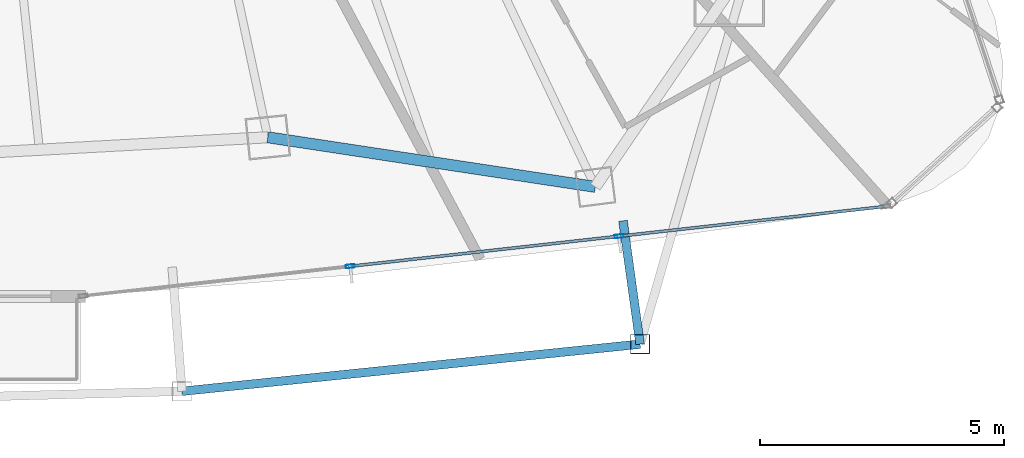
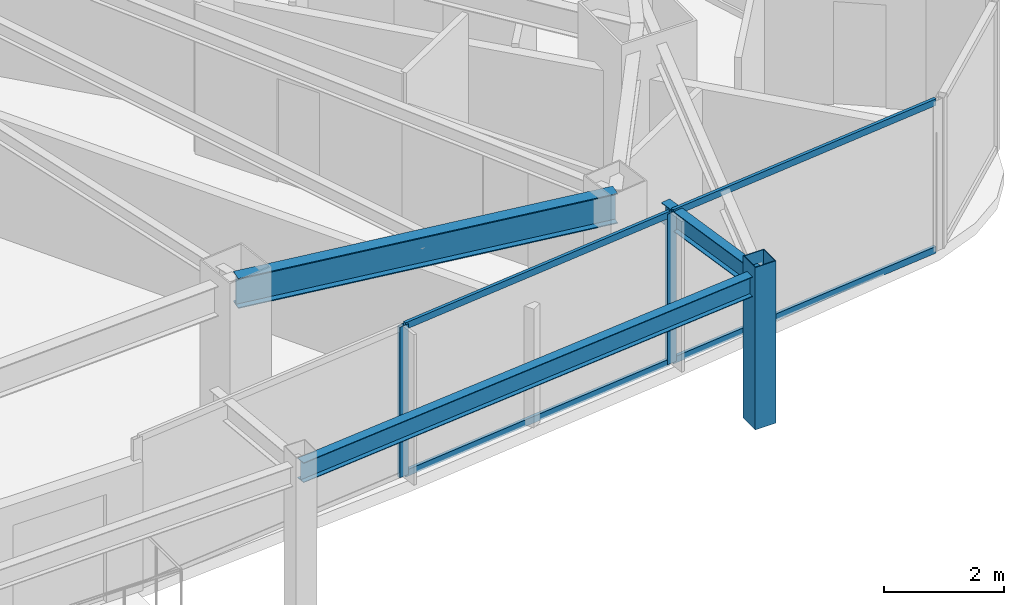
# One storey, part 14 of 30: 7 members, 3 beams, 1 element without a shape of its own.
"""IFC4 building model written with IfcOpenShell, lengths in metres."""

import ifcopenshell
import ifcopenshell.guid

model = None  # the IFC model being written
_history = None  # IfcOwnerHistory: only IFC2X3 demands one
_inside = {}  # id of a spatial element -> (the spatial element, [elements in it])
_under = {}  # id of a project, library or spatial element -> (it, [spatial elements below it])
_declared = {}  # id of a project -> (the project, [libraries it declares])
_typed = {}  # id of a type object -> (the type object, [elements of that type])
_made_of = {}  # id of a material, layer set ... -> (it, [elements and type objects made of it])


def new_model(schema):
    """Start an empty IFC model of exactly this schema.

    Asked for "IFC4X3", IfcOpenShell would pick the latest addendum, in which some entities
    have other attributes; the version numbers below select the first issue.
    IFC2X3 requires an IfcOwnerHistory on every rooted entity: one is made here for all.
    """
    global model, _history
    if schema == "IFC4X3":
        model = ifcopenshell.file(schema_version=(4, 3, 0, 0))
    else:
        model = ifcopenshell.file(schema=schema)
    _inside.clear()
    _under.clear()
    _declared.clear()
    _typed.clear()
    _made_of.clear()
    _history = None
    if model.schema == "IFC2X3":
        org = make("IfcOrganization", Name="unknown")
        user = make(
            "IfcPersonAndOrganization",
            ThePerson=make("IfcPerson", FamilyName="unknown"),
            TheOrganization=org,
        )
        app = make(
            "IfcApplication",
            ApplicationDeveloper=org,
            Version="unknown",
            ApplicationFullName="unknown",
            ApplicationIdentifier="unknown",
        )
        _history = make(
            "IfcOwnerHistory",
            OwningUser=user,
            OwningApplication=app,
            ChangeAction="ADDED",
            CreationDate=0,
        )
    return model


def make(cls, **values):
    """One entity of the class cls with the attributes given. An attribute that is None is left unset."""
    return model.create_entity(
        cls, **{name: value for name, value in values.items() if value is not None}
    )


def rooted(cls, **values):
    """An entity with a GlobalId (a new one), such as an element, a storey or a relation."""
    return make(cls, GlobalId=ifcopenshell.guid.new(), OwnerHistory=_history, **values)


def si_unit(unit_type, name, prefix=None):
    """IfcSIUnit, for example si_unit("LENGTHUNIT", "METRE", prefix="MILLI")."""
    return make("IfcSIUnit", UnitType=unit_type, Prefix=prefix, Name=name)


def assignment(units):
    """IfcUnitAssignment: the units of a project."""
    return None if units is None else make("IfcUnitAssignment", Units=units)


def point(xyz):
    """IfcCartesianPoint."""
    return None if xyz is None else make("IfcCartesianPoint", Coordinates=xyz)


def direction(xyz):
    """IfcDirection."""
    return None if xyz is None else make("IfcDirection", DirectionRatios=xyz)


def frame(location, z_axis=None, x_axis=None):
    """IfcAxis2Placement3D, a coordinate frame: its origin and axes. An axis left out is left unset."""
    return make(
        "IfcAxis2Placement3D",
        Location=point(location),
        Axis=direction(z_axis),
        RefDirection=direction(x_axis),
    )


def frame_2d(location, x_axis=None):
    """IfcAxis2Placement2D, a coordinate frame in the plane: its origin and x axis."""
    return make(
        "IfcAxis2Placement2D", Location=point(location), RefDirection=direction(x_axis)
    )


def origin():
    """The frame at (0, 0, 0) with its axes left unset."""
    return frame((0.0, 0.0, 0.0))


def origin_2d():
    """The frame at (0, 0) in the plane with its x axis left unset."""
    return frame_2d((0.0, 0.0))


def place(relative_to, where):
    """IfcLocalPlacement: puts the frame where relative to a parent placement (None: the world)."""
    return make(
        "IfcLocalPlacement", PlacementRelTo=relative_to, RelativePlacement=where
    )


def context(
    kind, dimensions, precision=None, world=None, true_north=None, identifier=None
):
    """IfcGeometricRepresentationContext, for example the 3D "Model" context."""
    return make(
        "IfcGeometricRepresentationContext",
        ContextIdentifier=identifier,
        ContextType=kind,
        CoordinateSpaceDimension=dimensions,
        Precision=precision,
        WorldCoordinateSystem=world,
        TrueNorth=true_north,
    )


def subcontext(parent, identifier, kind, view, scale=None):
    """IfcGeometricRepresentationSubContext, for example "Body" below "Model"."""
    return make(
        "IfcGeometricRepresentationSubContext",
        ContextIdentifier=identifier,
        ContextType=kind,
        ParentContext=parent,
        TargetScale=scale,
        TargetView=view,
    )


def project(units=None, contexts=None):
    """IfcProject with its units and contexts."""
    return rooted(
        "IfcProject",
        Name="project",
        RepresentationContexts=contexts,
        UnitsInContext=assignment(units),
    )


def spatial(cls, under=None, at=None, **own):
    """A site, building, storey or space (cls), placed at a placement, below another one or the project."""
    s = rooted(cls, ObjectPlacement=at, **own)
    if under is not None:
        _under.setdefault(under.id(), (under, []))[1].append(s)
    return s


def profile(cls, at=None, kind="AREA", **sizes):
    """A parametric profile (cls). Its sizes go by their IFC names, for example OverallWidth=200.0."""
    return make(cls, ProfileType=kind, Position=at, **sizes)


def hollow_rectangle(**sizes):
    """IfcRectangleHollowProfileDef."""
    return profile("IfcRectangleHollowProfileDef", **sizes)


def i_section(**sizes):
    """IfcIShapeProfileDef."""
    return profile("IfcIShapeProfileDef", **sizes)


def extrude(swept, where, along, depth):
    """IfcExtrudedAreaSolid: the profile swept, set in the frame where, extruded along a direction by depth."""
    return make(
        "IfcExtrudedAreaSolid",
        SweptArea=swept,
        Position=where,
        ExtrudedDirection=direction(along),
        Depth=depth,
    )


def shape(context_of_items, identifier, shape_type, items):
    """IfcShapeRepresentation: the items that make up one representation, for example the "Body"."""
    return make(
        "IfcShapeRepresentation",
        ContextOfItems=context_of_items,
        RepresentationIdentifier=identifier,
        RepresentationType=shape_type,
        Items=items,
    )


def material(Name=None, Category=None):
    """IfcMaterial."""
    return make("IfcMaterial", Name=Name, Category=Category)


def layer(
    of_material, thickness, ventilated=None, Name=None, Category=None, Priority=None
):
    """IfcMaterialLayer: one layer of a wall or slab, of a material (None: an air gap)."""
    return make(
        "IfcMaterialLayer",
        Material=of_material,
        LayerThickness=thickness,
        IsVentilated=ventilated,
        Name=Name,
        Category=Category,
        Priority=Priority,
    )


def layer_set(layers, Name=None):
    """IfcMaterialLayerSet."""
    return make("IfcMaterialLayerSet", MaterialLayers=layers, LayerSetName=Name)


def material_profile(
    of_material, cross_section, Name=None, Category=None, Priority=None
):
    """IfcMaterialProfile: a cross section and its material."""
    return make(
        "IfcMaterialProfile",
        Name=Name,
        Material=of_material,
        Profile=cross_section,
        Priority=Priority,
        Category=Category,
    )


def profile_set(profiles, Name=None, composite=None):
    """IfcMaterialProfileSet."""
    return make(
        "IfcMaterialProfileSet",
        Name=Name,
        MaterialProfiles=profiles,
        CompositeProfile=composite,
    )


def made_of(thing, what):
    """Note that an element or type object is made of a material, layer set ...; save() writes the relation."""
    if what is not None:
        _made_of.setdefault(what.id(), (what, []))[1].append(thing)
    return thing


def type_object(cls, material=None, **own):
    """A type object (cls), such as IfcWallType, which elements share."""
    return made_of(rooted(cls, **own), material)


def element(
    cls,
    number,
    at=None,
    inside=None,
    cuts=None,
    type_object=None,
    material=None,
    context=None,
    identifier="Body",
    shape_type=None,
    held_by="IfcProductDefinitionShape",
    body=None,
    shapes=None,
    **own,
):
    """One element of the class cls, such as IfcWall. Its Tag is "e" and its number.

    at: its placement. inside: the storey or other place that contains it. cuts: it is an
    opening in that element (IfcRelVoidsElement). A single representation is given by context,
    identifier, shape_type and body (its items); several are given by shapes. held_by: the class
    of the entity that holds the representations. save() writes the other relations.
    """
    e = rooted(cls, Tag="e%d" % number, ObjectPlacement=at, **own)
    if body is not None:
        shapes = [shape(context, identifier, shape_type, body)]
    if shapes is not None:
        e.Representation = make(held_by, Representations=shapes)
    if inside is not None:
        _inside.setdefault(inside.id(), (inside, []))[1].append(e)
    if cuts is not None:
        rooted(
            "IfcRelVoidsElement", RelatingBuildingElement=cuts, RelatedOpeningElement=e
        )
    if type_object is not None:
        _typed.setdefault(type_object.id(), (type_object, []))[1].append(e)
    return made_of(e, material)


def aggregate(whole, parts):
    """IfcRelAggregates: a whole, such as a stair, and the parts it consists of."""
    return rooted("IfcRelAggregates", RelatingObject=whole, RelatedObjects=parts)


def save(model, path):
    """Write the relations noted so far, then the file.

    IfcRelAggregates (storeys below a building ...), IfcRelContainedInSpatialStructure (elements
    in a storey), IfcRelDefinesByType, IfcRelAssociatesMaterial and IfcRelDeclares: one each for
    every whole, place, type object, material and project.
    """
    for whole, parts in _under.values():
        aggregate(whole, parts)
    for where, things in _inside.values():
        rooted(
            "IfcRelContainedInSpatialStructure",
            RelatedElements=things,
            RelatingStructure=where,
        )
    for kind, things in _typed.values():
        rooted("IfcRelDefinesByType", RelatedObjects=things, RelatingType=kind)
    for what, things in _made_of.values():
        rooted("IfcRelAssociatesMaterial", RelatedObjects=things, RelatingMaterial=what)
    for by, libraries in _declared.values():
        rooted("IfcRelDeclares", RelatingContext=by, RelatedDefinitions=libraries)
    model.write(path)


model = new_model("IFC4")

# Units and contexts
model_context = context("Model", 3, precision=1e-05, world=origin(), true_north=direction((0.0, 1.0)))
body_context = subcontext(model_context, "Body", "Model", "MODEL_VIEW")
ifc_project = project(units=[si_unit("LENGTHUNIT", "METRE"), si_unit("AREAUNIT", "SQUARE_METRE"), si_unit("VOLUMEUNIT", "CUBIC_METRE"), si_unit("PLANEANGLEUNIT", "RADIAN"), si_unit("MASSUNIT", "GRAM", prefix="KILO")], contexts=[model_context])

# Site, building, storey
site_placement = place(None, origin())
site = spatial("IfcSite", under=ifc_project, at=site_placement, CompositionType="ELEMENT")
building_placement = place(site_placement, origin())
building = spatial("IfcBuilding", under=site, at=building_placement, Name="Orvanel Arch Residences", CompositionType="ELEMENT")
storey_placement = place(building_placement, frame((0.0, 0.0, 180.35009765625)))
storey = spatial("IfcBuildingStorey", under=building, at=storey_placement, Name="L51", CompositionType="ELEMENT", Elevation=180.35009765625)

# Curtain wall, members
ifc_material_1 = material(Name="Bronze-anodised aluminium AA6063-T6", Category="aluminium")
ifc_layer = layer(ifc_material_1, 0.179931640625)
ifc_layer_set = layer_set([ifc_layer], Name="Bronze-anodised aluminium AA6063-T6")
curtain_wall_type = type_object("IfcCurtainWallType", Name="CW3-MID-SYS", PredefinedType="NOTDEFINED", material=ifc_layer_set)
curtain_wall_placement = place(storey_placement, origin())
curtain_wall = element("IfcCurtainWall", 1, at=curtain_wall_placement, inside=storey, type_object=curtain_wall_type, Name="L51 CW3-MID-SYS Unitised Curtain Wall", PredefinedType="NOTDEFINED")
ifc_material_profile_1 = material_profile(ifc_material_1, hollow_rectangle(XDim=0.070068359375, YDim=0.179931640625, WallThickness=0.00439453125, at=origin_2d()), Name="ALU180x70x4.5")
ifc_profile_set_1 = profile_set([ifc_material_profile_1], Name="Bronze-anodised aluminium AA6063-T6")
member_type_1 = type_object("IfcMemberType", Name="MUL-180x70", PredefinedType="MULLION", material=ifc_profile_set_1)
member_1_placement = place(storey_placement, frame((44.038330078125, 4.714111328125, 0.0), z_axis=(0.0, 0.0, 1.0), x_axis=(-0.111079078463, 0.993811570836, 0.0)))
member_1 = element("IfcMember", 2, at=member_1_placement, type_object=member_type_1, Name="CW-S3 mullion 2", PredefinedType="MULLION", context=body_context, shape_type="SweptSolid", body=[
    extrude(hollow_rectangle(XDim=0.070068359375, YDim=0.179931640625, WallThickness=0.00439453125, at=origin_2d()), origin(), (0.0, 0.0, 1.0), 3.059814453125),
])
member_2_placement = place(storey_placement, frame((49.540771484375, 5.3291015625, 0.0), z_axis=(0.0, 0.0, 1.0), x_axis=(-0.111079078463, 0.993811570836, 0.0)))
member_2 = element("IfcMember", 3, at=member_2_placement, type_object=member_type_1, Name="CW-S3 mullion 3", PredefinedType="MULLION", context=body_context, shape_type="SweptSolid", body=[
    extrude(hollow_rectangle(XDim=0.070068359375, YDim=0.179931640625, WallThickness=0.00439453125, at=origin_2d()), origin(), (0.0, 0.0, 1.0), 3.059814453125),
])

# Beams
ifc_material_2 = material(Name="Structural steel AS/NZS 3679.1 Grade 300 (300 MPa)", Category="steel")
ifc_material_profile_2 = material_profile(ifc_material_2, i_section(OverallWidth=0.177978515625, OverallDepth=0.406005859375, WebThickness=0.0078125, FlangeThickness=0.0126953125, at=origin_2d()), Name="410UB59.7")
ifc_profile_set_2 = profile_set([ifc_material_profile_2], Name="Structural steel AS/NZS 3679.1 Grade 300 (300 MPa)")
beam_type_1 = type_object("IfcBeamType", Name="OB-410UB-EXT", PredefinedType="SPANDREL", material=ifc_profile_set_2)
beam_1_placement = place(storey_placement, frame((40.593994140625, 2.154052734375, 2.85693359375), z_axis=(0.994752563143, 0.102310009877, 0.0), x_axis=(-0.102310009877, 0.994752563143, 0.0)))
element("IfcBeam", 4, at=beam_1_placement, inside=storey, type_object=beam_type_1, Name="L51 Outer Perimeter Floor Ring Beam 07", PredefinedType="SPANDREL", context=body_context, shape_type="SweptSolid", body=[
    extrude(i_section(OverallWidth=0.177978515625, OverallDepth=0.406005859375, WebThickness=0.0078125, FlangeThickness=0.0126953125, at=origin_2d()), origin(), (0.0, 0.0, 1.0), 9.4306640625),
])
beam_2_placement = place(storey_placement, frame((49.6240234375, 5.64501953125, 2.85693359375), z_axis=(0.137654459231, -0.990480312704, 0.0), x_axis=(0.990480312704, 0.137654459231, 0.0)))
element("IfcBeam", 5, at=beam_2_placement, inside=storey, type_object=beam_type_1, Name="L51 Outer Frame Radial Tie Beam 08", PredefinedType="SPANDREL", context=body_context, shape_type="SweptSolid", body=[
    extrude(i_section(OverallWidth=0.177978515625, OverallDepth=0.406005859375, WebThickness=0.0078125, FlangeThickness=0.0126953125, at=origin_2d()), origin(), (0.0, 0.0, 1.0), 2.55029296875),
])
ifc_material_profile_3 = material_profile(ifc_material_2, i_section(OverallWidth=0.22900390625, OverallDepth=0.612060546875, WebThickness=0.011962890625, FlangeThickness=0.01953125, at=origin_2d()), Name="610UB125")
ifc_profile_set_3 = profile_set([ifc_material_profile_3], Name="Structural steel AS/NZS 3679.1 Grade 300 (300 MPa)")
beam_type_2 = type_object("IfcBeamType", Name="SP-610UB", PredefinedType="SPANDREL", material=ifc_profile_set_3)
beam_3_placement = place(storey_placement, frame((42.35107421875, 7.35498046875, 2.75390625), z_axis=(0.988726323014, -0.149733958002, 0.0), x_axis=(0.149733958002, 0.988726323014, 0.0)))
element("IfcBeam", 6, at=beam_3_placement, inside=storey, type_object=beam_type_2, Name="L51 Perimeter Spandrel Beam 07", PredefinedType="SPANDREL", context=body_context, shape_type="SweptSolid", body=[
    extrude(i_section(OverallWidth=0.22900390625, OverallDepth=0.612060546875, WebThickness=0.011962890625, FlangeThickness=0.01953125, at=origin_2d()), origin(), (0.0, 0.0, 1.0), 6.784423828125),
])

# Member
ifc_material_3 = material(Name="Structural steel AS/NZS 1163 C450L0 (Grade 450)", Category="steel")
ifc_material_profile_4 = material_profile(ifc_material_3, hollow_rectangle(XDim=0.39990234375, YDim=0.39990234375, WallThickness=0.01611328125, at=origin_2d()), Name="SHS400x400x16")
ifc_profile_set_4 = profile_set([ifc_material_profile_4], Name="Structural steel AS/NZS 1163 C450L0 (Grade 450)")
member_type_2 = type_object("IfcMemberType", Name="ST-400SHS-EXT", PredefinedType="STRUT", material=ifc_profile_set_4)
member_3_placement = place(storey_placement, frame((49.97509765625, 3.118896484375, 0.0), z_axis=(0.0, 0.0, 1.0), x_axis=(1.0, 0.0, 0.0)))
element("IfcMember", 7, at=member_3_placement, inside=storey, type_object=member_type_2, Name="L51 Outer Perimeter Frame Post 08", PredefinedType="STRUT", context=body_context, shape_type="SweptSolid", body=[
    extrude(hollow_rectangle(XDim=0.39990234375, YDim=0.39990234375, WallThickness=0.01611328125, at=origin_2d()), origin(), (0.0, 0.0, 1.0), 3.2998046875),
])

ifc_material_profile_5 = material_profile(ifc_material_1, hollow_rectangle(XDim=0.06005859375, YDim=0.135009765625, WallThickness=0.00390625, at=origin_2d()), Name="ALU135x60x4")
ifc_profile_set_5 = profile_set([ifc_material_profile_5], Name="Bronze-anodised aluminium AA6063-T6")
member_type_3 = type_object("IfcMemberType", Name="TRN-135x60", PredefinedType="USERDEFINED", material=ifc_profile_set_5)
member_4_placement = place(storey_placement, frame((44.072998046875, 4.7177734375, 0.02978515625), z_axis=(0.993807797846, 0.111112829778, 0.0), x_axis=(-0.111112829778, 0.993807797846, 0.0)))
member_4 = element("IfcMember", 8, at=member_4_placement, type_object=member_type_3, Name="CW-S3 transom 2.1", ObjectType="TRANSOM", PredefinedType="USERDEFINED", context=body_context, shape_type="SweptSolid", body=[
    extrude(hollow_rectangle(XDim=0.06005859375, YDim=0.135009765625, WallThickness=0.00390625, at=origin_2d()), origin(), (0.0, 0.0, 1.0), 5.466796875),
])

member_5_placement = place(storey_placement, frame((44.072998046875, 4.7177734375, 3.02978515625), z_axis=(0.993807797846, 0.111112829778, 0.0), x_axis=(-0.111112829778, 0.993807797846, 0.0)))
member_5 = element("IfcMember", 9, at=member_5_placement, type_object=member_type_3, Name="CW-S3 transom 2.2", ObjectType="TRANSOM", PredefinedType="USERDEFINED", context=body_context, shape_type="SweptSolid", body=[
    extrude(hollow_rectangle(XDim=0.06005859375, YDim=0.135009765625, WallThickness=0.00390625, at=origin_2d()), origin(), (0.0, 0.0, 1.0), 5.466796875),
])

member_6_placement = place(storey_placement, frame((49.575439453125, 5.3330078125, 0.02978515625), z_axis=(0.993812819151, 0.111067909368, 0.0), x_axis=(-0.111067909368, 0.993812819151, 0.0)))
member_6 = element("IfcMember", 10, at=member_6_placement, type_object=member_type_3, Name="CW-S3 transom 3.1", ObjectType="TRANSOM", PredefinedType="USERDEFINED", context=body_context, shape_type="SweptSolid", body=[
    extrude(hollow_rectangle(XDim=0.06005859375, YDim=0.135009765625, WallThickness=0.00390625, at=origin_2d()), origin(), (0.0, 0.0, 1.0), 5.431640625),
])

member_7_placement = place(storey_placement, frame((49.575439453125, 5.3330078125, 3.02978515625), z_axis=(0.993812819151, 0.111067909368, 0.0), x_axis=(-0.111067909368, 0.993812819151, 0.0)))
member_7 = element("IfcMember", 11, at=member_7_placement, type_object=member_type_3, Name="CW-S3 transom 3.2", ObjectType="TRANSOM", PredefinedType="USERDEFINED", context=body_context, shape_type="SweptSolid", body=[
    extrude(hollow_rectangle(XDim=0.06005859375, YDim=0.135009765625, WallThickness=0.00390625, at=origin_2d()), origin(), (0.0, 0.0, 1.0), 5.431640625),
])

aggregate(curtain_wall, [member_1, member_2, member_4, member_5, member_6, member_7])

save(model, "model.ifc")
